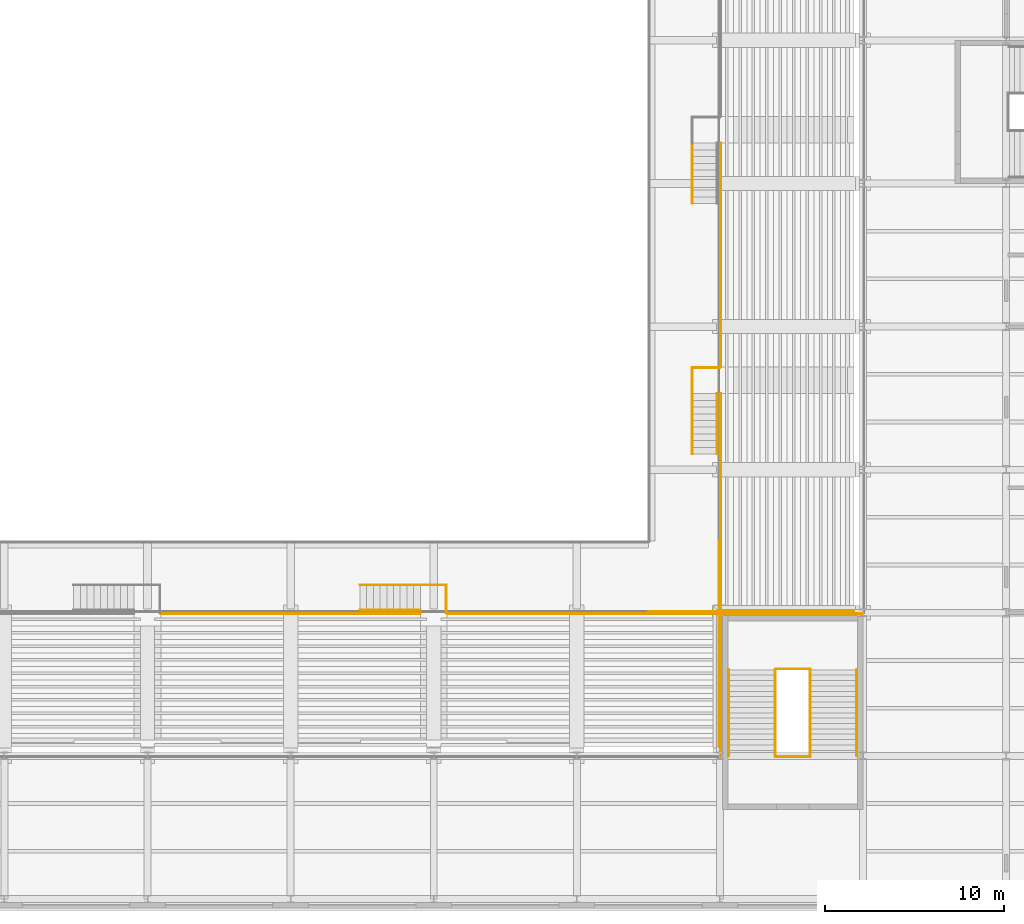
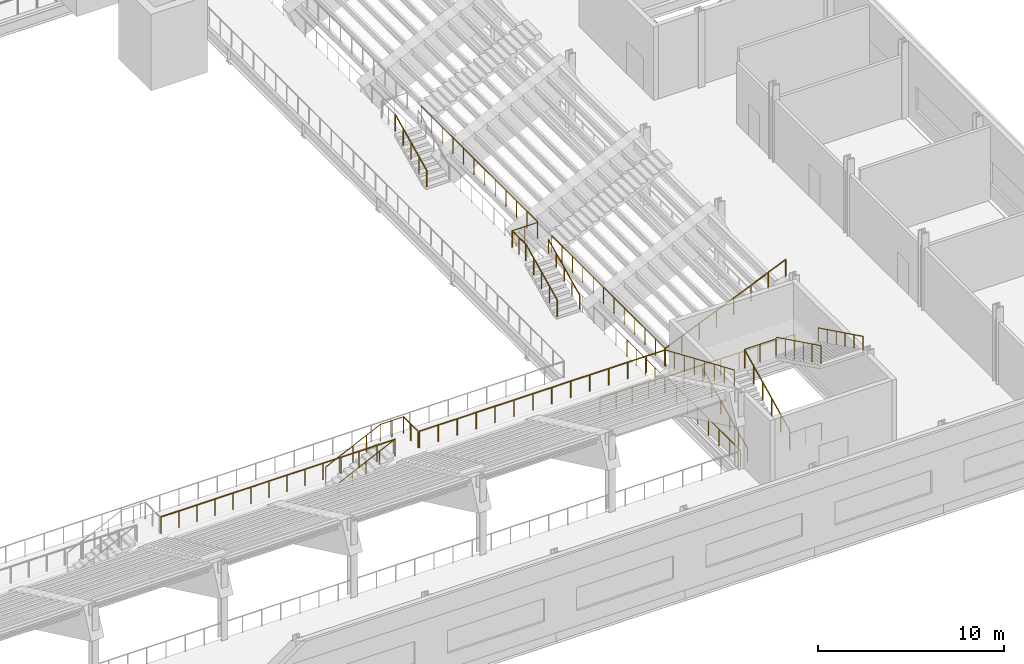
# One storey, part 23 of 27: 25 railings.
"""IFC4 building model written with IfcOpenShell, lengths in metres."""

from ifc_helpers import new_model, si_unit, direction, frame, origin, origin_2d, place, context, subcontext, project, spatial, circle, extrude, material, type_object, element, save


model = new_model("IFC4")

# Units and contexts
model_context = context("Model", 3, precision=1e-05, world=origin(), true_north=direction((0.0, 1.0)))
body_context = subcontext(model_context, "Body", "Model", "MODEL_VIEW")
ifc_project = project(units=[si_unit("LENGTHUNIT", "METRE"), si_unit("AREAUNIT", "SQUARE_METRE"), si_unit("VOLUMEUNIT", "CUBIC_METRE"), si_unit("PLANEANGLEUNIT", "RADIAN"), si_unit("MASSUNIT", "GRAM", prefix="KILO")], contexts=[model_context])

# Site, building, storey
site_placement = place(None, origin())
site = spatial("IfcSite", under=ifc_project, at=site_placement, CompositionType="ELEMENT")
building_placement = place(site_placement, origin())
building = spatial("IfcBuilding", under=site, at=building_placement, Name="Daluyong Arena Tower", CompositionType="ELEMENT")
storey_placement = place(building_placement, frame((0.0, 0.0, 14.89990234375)))
storey = spatial("IfcBuildingStorey", under=building, at=storey_placement, Name="L03", CompositionType="ELEMENT", Elevation=14.89990234375)

# Railings
ifc_material_1 = material(Name="Steel guard with glass infill", Category="steel")
railing_type_1 = type_object("IfcRailingType", Name="Bowl front guard 1100", PredefinedType="GUARDRAIL", material=ifc_material_1)
railing_1_placement = place(storey_placement, frame((88.050048828125, 16.0, 1.785888671875)))
element("IfcRailing", 1, at=railing_1_placement, inside=storey, type_object=railing_type_1, Name="bowl guard", PredefinedType="GUARDRAIL", context=body_context, shape_type="SweptSolid", body=[
    extrude(circle(Radius=0.02392578125, at=origin_2d()), frame((0.0, 0.0, 1.076171875), z_axis=(0.0, 1.0, 0.0), x_axis=(-1.0, 0.0, 0.0)), (0.0, 0.0, 1.0), 12.25),
    extrude(circle(Radius=0.02099609375, at=origin_2d()), origin(), (0.0, 0.0, 1.0), 1.052001953125),
    extrude(circle(Radius=0.02099609375, at=origin_2d()), frame((0.0, 1.113525390625, 0.0)), (0.0, 0.0, 1.0), 1.052001953125),
    extrude(circle(Radius=0.02099609375, at=origin_2d()), frame((0.0, 2.227294921875, 0.0)), (0.0, 0.0, 1.0), 1.052001953125),
    extrude(circle(Radius=0.02099609375, at=origin_2d()), frame((0.0, 3.3408203125, 0.0)), (0.0, 0.0, 1.0), 1.052001953125),
    extrude(circle(Radius=0.02099609375, at=origin_2d()), frame((0.0, 4.45458984375, 0.0)), (0.0, 0.0, 1.0), 1.052001953125),
    extrude(circle(Radius=0.02099609375, at=origin_2d()), frame((0.0, 5.568115234375, 0.0)), (0.0, 0.0, 1.0), 1.052001953125),
    extrude(circle(Radius=0.02099609375, at=origin_2d()), frame((0.0, 6.681884765625, 0.0)), (0.0, 0.0, 1.0), 1.052001953125),
    extrude(circle(Radius=0.02099609375, at=origin_2d()), frame((0.0, 7.79541015625, 0.0)), (0.0, 0.0, 1.0), 1.052001953125),
    extrude(circle(Radius=0.02099609375, at=origin_2d()), frame((0.0, 8.9091796875, 0.0)), (0.0, 0.0, 1.0), 1.052001953125),
    extrude(circle(Radius=0.02099609375, at=origin_2d()), frame((0.0, 10.022705078125, 0.0)), (0.0, 0.0, 1.0), 1.052001953125),
    extrude(circle(Radius=0.02099609375, at=origin_2d()), frame((0.0, 11.136474609375, 0.0)), (0.0, 0.0, 1.0), 1.052001953125),
    extrude(circle(Radius=0.02099609375, at=origin_2d()), frame((0.0, 12.25, 0.0)), (0.0, 0.0, 1.0), 1.052001953125),
])
railing_2_placement = place(storey_placement, frame((88.050048828125, 29.75, 1.785888671875)))
element("IfcRailing", 2, at=railing_2_placement, inside=storey, type_object=railing_type_1, Name="bowl guard", PredefinedType="GUARDRAIL", context=body_context, shape_type="SweptSolid", body=[
    extrude(circle(Radius=0.02392578125, at=origin_2d()), frame((0.0, 0.0, 1.076171875), z_axis=(0.0, 1.0, 0.0), x_axis=(-1.0, 0.0, 0.0)), (0.0, 0.0, 1.0), 12.5),
    extrude(circle(Radius=0.02099609375, at=origin_2d()), origin(), (0.0, 0.0, 1.0), 1.052001953125),
    extrude(circle(Radius=0.02099609375, at=origin_2d()), frame((0.0, 1.136474609375, 0.0)), (0.0, 0.0, 1.0), 1.052001953125),
    extrude(circle(Radius=0.02099609375, at=origin_2d()), frame((0.0, 2.272705078125, 0.0)), (0.0, 0.0, 1.0), 1.052001953125),
    extrude(circle(Radius=0.02099609375, at=origin_2d()), frame((0.0, 3.4091796875, 0.0)), (0.0, 0.0, 1.0), 1.052001953125),
    extrude(circle(Radius=0.02099609375, at=origin_2d()), frame((0.0, 4.54541015625, 0.0)), (0.0, 0.0, 1.0), 1.052001953125),
    extrude(circle(Radius=0.02099609375, at=origin_2d()), frame((0.0, 5.681884765625, 0.0)), (0.0, 0.0, 1.0), 1.052001953125),
    extrude(circle(Radius=0.02099609375, at=origin_2d()), frame((0.0, 6.818115234375, 0.0)), (0.0, 0.0, 1.0), 1.052001953125),
    extrude(circle(Radius=0.02099609375, at=origin_2d()), frame((0.0, 7.95458984375, 0.0)), (0.0, 0.0, 1.0), 1.052001953125),
    extrude(circle(Radius=0.02099609375, at=origin_2d()), frame((0.0, 9.0908203125, 0.0)), (0.0, 0.0, 1.0), 1.052001953125),
    extrude(circle(Radius=0.02099609375, at=origin_2d()), frame((0.0, 10.227294921875, 0.0)), (0.0, 0.0, 1.0), 1.052001953125),
    extrude(circle(Radius=0.02099609375, at=origin_2d()), frame((0.0, 11.363525390625, 0.0)), (0.0, 0.0, 1.0), 1.052001953125),
    extrude(circle(Radius=0.02099609375, at=origin_2d()), frame((0.0, 12.5, 0.0)), (0.0, 0.0, 1.0), 1.052001953125),
])
railing_3_placement = place(storey_placement, frame((56.75, 15.949951171875, 1.785888671875)))
element("IfcRailing", 3, at=railing_3_placement, inside=storey, type_object=railing_type_1, Name="bowl guard", PredefinedType="GUARDRAIL", context=body_context, shape_type="SweptSolid", body=[
    extrude(circle(Radius=0.02392578125, at=origin_2d()), frame((0.0, 0.0, 1.076171875), z_axis=(1.0, 0.0, 0.0), x_axis=(0.0, 1.0, 0.0)), (0.0, 0.0, 1.0), 14.5),
    extrude(circle(Radius=0.02099609375, at=origin_2d()), origin(), (0.0, 0.0, 1.0), 1.052001953125),
    extrude(circle(Radius=0.02099609375, at=origin_2d()), frame((1.115478515625, 0.0, 0.0)), (0.0, 0.0, 1.0), 1.052001953125),
    extrude(circle(Radius=0.02099609375, at=origin_2d()), frame((2.230712890625, 0.0, 0.0)), (0.0, 0.0, 1.0), 1.052001953125),
    extrude(circle(Radius=0.02099609375, at=origin_2d()), frame((3.34619140625, 0.0, 0.0)), (0.0, 0.0, 1.0), 1.052001953125),
    extrude(circle(Radius=0.02099609375, at=origin_2d()), frame((4.46142578125, 0.0, 0.0)), (0.0, 0.0, 1.0), 1.052001953125),
    extrude(circle(Radius=0.02099609375, at=origin_2d()), frame((5.576904296875, 0.0, 0.0)), (0.0, 0.0, 1.0), 1.052001953125),
    extrude(circle(Radius=0.02099609375, at=origin_2d()), frame((6.6923828125, 0.0, 0.0)), (0.0, 0.0, 1.0), 1.052001953125),
    extrude(circle(Radius=0.02099609375, at=origin_2d()), frame((7.8076171875, 0.0, 0.0)), (0.0, 0.0, 1.0), 1.052001953125),
    extrude(circle(Radius=0.02099609375, at=origin_2d()), frame((8.923095703125, 0.0, 0.0)), (0.0, 0.0, 1.0), 1.052001953125),
    extrude(circle(Radius=0.02099609375, at=origin_2d()), frame((10.03857421875, 0.0, 0.0)), (0.0, 0.0, 1.0), 1.052001953125),
    extrude(circle(Radius=0.02099609375, at=origin_2d()), frame((11.15380859375, 0.0, 0.0)), (0.0, 0.0, 1.0), 1.052001953125),
    extrude(circle(Radius=0.02099609375, at=origin_2d()), frame((12.269287109375, 0.0, 0.0)), (0.0, 0.0, 1.0), 1.052001953125),
    extrude(circle(Radius=0.02099609375, at=origin_2d()), frame((13.384521484375, 0.0, 0.0)), (0.0, 0.0, 1.0), 1.052001953125),
    extrude(circle(Radius=0.02099609375, at=origin_2d()), frame((14.5, 0.0, 0.0)), (0.0, 0.0, 1.0), 1.052001953125),
])
railing_4_placement = place(storey_placement, frame((72.75, 15.949951171875, 1.785888671875)))
element("IfcRailing", 4, at=railing_4_placement, inside=storey, type_object=railing_type_1, Name="bowl guard", PredefinedType="GUARDRAIL", context=body_context, shape_type="SweptSolid", body=[
    extrude(circle(Radius=0.02392578125, at=origin_2d()), frame((0.0, 0.0, 1.076171875), z_axis=(1.0, 0.0, 0.0), x_axis=(0.0, 1.0, 0.0)), (0.0, 0.0, 1.0), 15.25),
    extrude(circle(Radius=0.02099609375, at=origin_2d()), origin(), (0.0, 0.0, 1.0), 1.052001953125),
    extrude(circle(Radius=0.02099609375, at=origin_2d()), frame((1.173095703125, 0.0, 0.0)), (0.0, 0.0, 1.0), 1.052001953125),
    extrude(circle(Radius=0.02099609375, at=origin_2d()), frame((2.34619140625, 0.0, 0.0)), (0.0, 0.0, 1.0), 1.052001953125),
    extrude(circle(Radius=0.02099609375, at=origin_2d()), frame((3.519287109375, 0.0, 0.0)), (0.0, 0.0, 1.0), 1.052001953125),
    extrude(circle(Radius=0.02099609375, at=origin_2d()), frame((4.6923828125, 0.0, 0.0)), (0.0, 0.0, 1.0), 1.052001953125),
    extrude(circle(Radius=0.02099609375, at=origin_2d()), frame((5.865478515625, 0.0, 0.0)), (0.0, 0.0, 1.0), 1.052001953125),
    extrude(circle(Radius=0.02099609375, at=origin_2d()), frame((7.03857421875, 0.0, 0.0)), (0.0, 0.0, 1.0), 1.052001953125),
    extrude(circle(Radius=0.02099609375, at=origin_2d()), frame((8.21142578125, 0.0, 0.0)), (0.0, 0.0, 1.0), 1.052001953125),
    extrude(circle(Radius=0.02099609375, at=origin_2d()), frame((9.384521484375, 0.0, 0.0)), (0.0, 0.0, 1.0), 1.052001953125),
    extrude(circle(Radius=0.02099609375, at=origin_2d()), frame((10.5576171875, 0.0, 0.0)), (0.0, 0.0, 1.0), 1.052001953125),
    extrude(circle(Radius=0.02099609375, at=origin_2d()), frame((11.730712890625, 0.0, 0.0)), (0.0, 0.0, 1.0), 1.052001953125),
    extrude(circle(Radius=0.02099609375, at=origin_2d()), frame((12.90380859375, 0.0, 0.0)), (0.0, 0.0, 1.0), 1.052001953125),
    extrude(circle(Radius=0.02099609375, at=origin_2d()), frame((14.076904296875, 0.0, 0.0)), (0.0, 0.0, 1.0), 1.052001953125),
    extrude(circle(Radius=0.02099609375, at=origin_2d()), frame((15.25, 0.0, 0.0)), (0.0, 0.0, 1.0), 1.052001953125),
])
ifc_material_2 = material(Name="Steel guard with glass infill", Category="steel")
railing_type_2 = type_object("IfcRailingType", Name="Floor edge guard 1100", PredefinedType="GUARDRAIL", material=ifc_material_2)
railing_5_placement = place(storey_placement, frame((88.0, 16.050048828125, 1.785888671875)))
element("IfcRailing", 5, at=railing_5_placement, inside=storey, type_object=railing_type_2, Name="bowl guard", PredefinedType="GUARDRAIL", context=body_context, shape_type="SweptSolid", body=[
    extrude(circle(Radius=0.02392578125, at=origin_2d()), frame((0.0, 0.0, 1.076171875), z_axis=(0.919152767859, 0.0, 0.393901243127), x_axis=(0.0, 1.0, 0.0)), (0.0, 0.0, 1.0), 8.15966796875),
    extrude(circle(Radius=0.02099609375, at=origin_2d()), origin(), (0.0, 0.0, 1.0), 1.052001953125),
    extrude(circle(Radius=0.02099609375, at=origin_2d()), frame((1.071533203125, 0.0, 0.459228515625)), (0.0, 0.0, 1.0), 1.052001953125),
    extrude(circle(Radius=0.02099609375, at=origin_2d()), frame((2.142822265625, 0.0, 0.918212890625)), (0.0, 0.0, 1.0), 1.052001953125),
    extrude(circle(Radius=0.02099609375, at=origin_2d()), frame((3.21435546875, 0.0, 1.37744140625)), (0.0, 0.0, 1.0), 1.052001953125),
    extrude(circle(Radius=0.02099609375, at=origin_2d()), frame((4.28564453125, 0.0, 1.836669921875)), (0.0, 0.0, 1.0), 1.052001953125),
    extrude(circle(Radius=0.02099609375, at=origin_2d()), frame((5.357177734375, 0.0, 2.2958984375)), (0.0, 0.0, 1.0), 1.052001953125),
    extrude(circle(Radius=0.02099609375, at=origin_2d()), frame((6.428466796875, 0.0, 2.7548828125)), (0.0, 0.0, 1.0), 1.052001953125),
    extrude(circle(Radius=0.02099609375, at=origin_2d()), frame((7.5, 0.0, 3.214111328125)), (0.0, 0.0, 1.0), 1.052001953125),
])
railing_6_placement = place(storey_placement, frame((87.949951171875, 16.0, 1.785888671875)))
element("IfcRailing", 6, at=railing_6_placement, inside=storey, type_object=railing_type_2, Name="bowl guard", PredefinedType="GUARDRAIL", context=body_context, shape_type="SweptSolid", body=[
    extrude(circle(Radius=0.02392578125, at=origin_2d()), frame((0.0, 0.0, 1.076171875), z_axis=(0.0, -0.919152767859, 0.393901243127), x_axis=(1.0, 0.0, 0.0)), (0.0, 0.0, 1.0), 8.15966796875),
    extrude(circle(Radius=0.02099609375, at=origin_2d()), origin(), (0.0, 0.0, 1.0), 1.052001953125),
    extrude(circle(Radius=0.02099609375, at=origin_2d()), frame((0.0, -1.071533203125, 0.459228515625)), (0.0, 0.0, 1.0), 1.052001953125),
    extrude(circle(Radius=0.02099609375, at=origin_2d()), frame((0.0, -2.142822265625, 0.918212890625)), (0.0, 0.0, 1.0), 1.052001953125),
    extrude(circle(Radius=0.02099609375, at=origin_2d()), frame((0.0, -3.21435546875, 1.37744140625)), (0.0, 0.0, 1.0), 1.052001953125),
    extrude(circle(Radius=0.02099609375, at=origin_2d()), frame((0.0, -4.28564453125, 1.836669921875)), (0.0, 0.0, 1.0), 1.052001953125),
    extrude(circle(Radius=0.02099609375, at=origin_2d()), frame((0.0, -5.357177734375, 2.2958984375)), (0.0, 0.0, 1.0), 1.052001953125),
    extrude(circle(Radius=0.02099609375, at=origin_2d()), frame((0.0, -6.428466796875, 2.7548828125)), (0.0, 0.0, 1.0), 1.052001953125),
    extrude(circle(Radius=0.02099609375, at=origin_2d()), frame((0.0, -7.5, 3.214111328125)), (0.0, 0.0, 1.0), 1.052001953125),
])
railing_7_placement = place(storey_placement, frame((96.0, 15.949951171875, 0.0)))
element("IfcRailing", 7, at=railing_7_placement, inside=storey, type_object=railing_type_2, Name="floor edge guard L03", PredefinedType="GUARDRAIL", context=body_context, shape_type="SweptSolid", body=[
    extrude(circle(Radius=0.02392578125, at=origin_2d()), frame((0.0, 0.0, 1.076171875), z_axis=(-1.0, 0.0, 0.0), x_axis=(0.0, -1.0, 0.0)), (0.0, 0.0, 1.0), 8.0),
    extrude(circle(Radius=0.02099609375, at=origin_2d()), origin(), (0.0, 0.0, 1.0), 1.052001953125),
    extrude(circle(Radius=0.02099609375, at=origin_2d()), frame((-1.142822265625, 0.0, 0.0)), (0.0, 0.0, 1.0), 1.052001953125),
    extrude(circle(Radius=0.02099609375, at=origin_2d()), frame((-2.28564453125, 0.0, 0.0)), (0.0, 0.0, 1.0), 1.052001953125),
    extrude(circle(Radius=0.02099609375, at=origin_2d()), frame((-3.428466796875, 0.0, 0.0)), (0.0, 0.0, 1.0), 1.052001953125),
    extrude(circle(Radius=0.02099609375, at=origin_2d()), frame((-4.571533203125, 0.0, 0.0)), (0.0, 0.0, 1.0), 1.052001953125),
    extrude(circle(Radius=0.02099609375, at=origin_2d()), frame((-5.71435546875, 0.0, 0.0)), (0.0, 0.0, 1.0), 1.052001953125),
    extrude(circle(Radius=0.02099609375, at=origin_2d()), frame((-6.857177734375, 0.0, 0.0)), (0.0, 0.0, 1.0), 1.052001953125),
    extrude(circle(Radius=0.02099609375, at=origin_2d()), frame((-8.0, 0.0, 0.0)), (0.0, 0.0, 1.0), 1.052001953125),
])
railing_8_placement = place(storey_placement, frame((87.949951171875, 16.0, 0.0)))
element("IfcRailing", 8, at=railing_8_placement, inside=storey, type_object=railing_type_2, Name="floor edge guard L03", PredefinedType="GUARDRAIL", context=body_context, shape_type="SweptSolid", body=[
    extrude(circle(Radius=0.02392578125, at=origin_2d()), frame((0.0, 0.0, 1.076171875), z_axis=(0.0, 1.0, 0.0), x_axis=(-1.0, 0.0, 0.0)), (0.0, 0.0, 1.0), 4.0),
    extrude(circle(Radius=0.02099609375, at=origin_2d()), origin(), (0.0, 0.0, 1.0), 1.052001953125),
    extrude(circle(Radius=0.02099609375, at=origin_2d()), frame((0.0, 1.0, 0.0)), (0.0, 0.0, 1.0), 1.052001953125),
    extrude(circle(Radius=0.02099609375, at=origin_2d()), frame((0.0, 2.0, 0.0)), (0.0, 0.0, 1.0), 1.052001953125),
    extrude(circle(Radius=0.02099609375, at=origin_2d()), frame((0.0, 3.0, 0.0)), (0.0, 0.0, 1.0), 1.052001953125),
    extrude(circle(Radius=0.02099609375, at=origin_2d()), frame((0.0, 4.0, 0.0)), (0.0, 0.0, 1.0), 1.052001953125),
])
railing_9_placement = place(storey_placement, frame((84.0, 16.050048828125, 0.0)))
element("IfcRailing", 9, at=railing_9_placement, inside=storey, type_object=railing_type_2, Name="floor edge guard L03", PredefinedType="GUARDRAIL", context=body_context, shape_type="SweptSolid", body=[
    extrude(circle(Radius=0.02392578125, at=origin_2d()), frame((0.0, 0.0, 1.076171875), z_axis=(1.0, 0.0, 0.0), x_axis=(0.0, 1.0, 0.0)), (0.0, 0.0, 1.0), 4.0),
    extrude(circle(Radius=0.02099609375, at=origin_2d()), origin(), (0.0, 0.0, 1.0), 1.052001953125),
    extrude(circle(Radius=0.02099609375, at=origin_2d()), frame((1.0, 0.0, 0.0)), (0.0, 0.0, 1.0), 1.052001953125),
    extrude(circle(Radius=0.02099609375, at=origin_2d()), frame((2.0, 0.0, 0.0)), (0.0, 0.0, 1.0), 1.052001953125),
    extrude(circle(Radius=0.02099609375, at=origin_2d()), frame((3.0, 0.0, 0.0)), (0.0, 0.0, 1.0), 1.052001953125),
    extrude(circle(Radius=0.02099609375, at=origin_2d()), frame((4.0, 0.0, 0.0)), (0.0, 0.0, 1.0), 1.052001953125),
])
railing_10_placement = place(storey_placement, frame((88.050048828125, 16.0, 0.0)))
element("IfcRailing", 10, at=railing_10_placement, inside=storey, type_object=railing_type_2, Name="floor edge guard L03", PredefinedType="GUARDRAIL", context=body_context, shape_type="SweptSolid", body=[
    extrude(circle(Radius=0.02392578125, at=origin_2d()), frame((0.0, 0.0, 1.076171875), z_axis=(0.0, -1.0, 0.0), x_axis=(1.0, 0.0, 0.0)), (0.0, 0.0, 1.0), 8.0),
    extrude(circle(Radius=0.02099609375, at=origin_2d()), origin(), (0.0, 0.0, 1.0), 1.052001953125),
    extrude(circle(Radius=0.02099609375, at=origin_2d()), frame((0.0, -1.142822265625, 0.0)), (0.0, 0.0, 1.0), 1.052001953125),
    extrude(circle(Radius=0.02099609375, at=origin_2d()), frame((0.0, -2.28564453125, 0.0)), (0.0, 0.0, 1.0), 1.052001953125),
    extrude(circle(Radius=0.02099609375, at=origin_2d()), frame((0.0, -3.428466796875, 0.0)), (0.0, 0.0, 1.0), 1.052001953125),
    extrude(circle(Radius=0.02099609375, at=origin_2d()), frame((0.0, -4.571533203125, 0.0)), (0.0, 0.0, 1.0), 1.052001953125),
    extrude(circle(Radius=0.02099609375, at=origin_2d()), frame((0.0, -5.71435546875, 0.0)), (0.0, 0.0, 1.0), 1.052001953125),
    extrude(circle(Radius=0.02099609375, at=origin_2d()), frame((0.0, -6.857177734375, 0.0)), (0.0, 0.0, 1.0), 1.052001953125),
    extrude(circle(Radius=0.02099609375, at=origin_2d()), frame((0.0, -8.0, 0.0)), (0.0, 0.0, 1.0), 1.052001953125),
])
ifc_material_3 = material(Name="Stainless steel handrail", Category="steel")
railing_type_3 = type_object("IfcRailingType", Name="Stair handrail", PredefinedType="HANDRAIL", material=ifc_material_3)
railing_11_placement = place(storey_placement, frame((88.5, 8.010009765625, 0.147216796875)))
element("IfcRailing", 11, at=railing_11_placement, inside=storey, type_object=railing_type_3, Name="exit stair PS2 handrail L03", PredefinedType="HANDRAIL", context=body_context, shape_type="SweptSolid", body=[
    extrude(circle(Radius=0.02392578125, at=origin_2d()), frame((0.0, 0.0, 0.8759765625), z_axis=(0.0, 0.89793417156, 0.440129780343), x_axis=(-1.0, 0.0, 0.0)), (0.0, 0.0, 1.0), 5.345703125),
    extrude(circle(Radius=0.02099609375, at=origin_2d()), origin(), (0.0, 0.0, 1.0), 0.851806640625),
    extrude(circle(Radius=0.02099609375, at=origin_2d()), frame((0.0, 0.9599609375, 0.470458984375)), (0.0, 0.0, 1.0), 0.851806640625),
    extrude(circle(Radius=0.02099609375, at=origin_2d()), frame((0.0, 1.919921875, 0.941162109375)), (0.0, 0.0, 1.0), 0.851806640625),
    extrude(circle(Radius=0.02099609375, at=origin_2d()), frame((0.0, 2.880126953125, 1.41162109375)), (0.0, 0.0, 1.0), 0.851806640625),
    extrude(circle(Radius=0.02099609375, at=origin_2d()), frame((0.0, 3.840087890625, 1.88232421875)), (0.0, 0.0, 1.0), 0.851806640625),
    extrude(circle(Radius=0.02099609375, at=origin_2d()), frame((0.0, 4.800048828125, 2.352783203125)), (0.0, 0.0, 1.0), 0.851806640625),
])
railing_12_placement = place(storey_placement, frame((95.64990234375, 12.81005859375, 2.647216796875)))
element("IfcRailing", 12, at=railing_12_placement, inside=storey, type_object=railing_type_3, Name="exit stair PS2 handrail L03", PredefinedType="HANDRAIL", context=body_context, shape_type="SweptSolid", body=[
    extrude(circle(Radius=0.02392578125, at=origin_2d()), frame((0.0, 0.0, 0.8759765625), z_axis=(0.0, -0.89793417156, 0.440129780343), x_axis=(1.0, 0.0, 0.0)), (0.0, 0.0, 1.0), 5.345703125),
    extrude(circle(Radius=0.02099609375, at=origin_2d()), origin(), (0.0, 0.0, 1.0), 0.851806640625),
    extrude(circle(Radius=0.02099609375, at=origin_2d()), frame((0.0, -0.9599609375, 0.470458984375)), (0.0, 0.0, 1.0), 0.851806640625),
    extrude(circle(Radius=0.02099609375, at=origin_2d()), frame((0.0, -1.919921875, 0.941162109375)), (0.0, 0.0, 1.0), 0.851806640625),
    extrude(circle(Radius=0.02099609375, at=origin_2d()), frame((0.0, -2.880126953125, 1.41162109375)), (0.0, 0.0, 1.0), 0.851806640625),
    extrude(circle(Radius=0.02099609375, at=origin_2d()), frame((0.0, -3.840087890625, 1.88232421875)), (0.0, 0.0, 1.0), 0.851806640625),
    extrude(circle(Radius=0.02099609375, at=origin_2d()), frame((0.0, -4.800048828125, 2.352783203125)), (0.0, 0.0, 1.0), 0.851806640625),
])
railing_13_placement = place(storey_placement, frame((87.85009765625, 24.875, 0.1787109375)))
element("IfcRailing", 13, at=railing_13_placement, inside=storey, type_object=railing_type_3, Name="upper bowl aisle stair handrail", PredefinedType="HANDRAIL", context=body_context, shape_type="SweptSolid", body=[
    extrude(circle(Radius=0.02392578125, at=origin_2d()), frame((0.0, 0.0, 0.8759765625), z_axis=(0.0, 0.902856897119, 0.42994118589), x_axis=(-1.0, 0.0, 0.0)), (0.0, 0.0, 1.0), 3.738037109375),
    extrude(circle(Radius=0.02099609375, at=origin_2d()), origin(), (0.0, 0.0, 1.0), 0.851806640625),
    extrude(circle(Radius=0.02099609375, at=origin_2d()), frame((0.0, 0.84375, 0.40185546875)), (0.0, 0.0, 1.0), 0.851806640625),
    extrude(circle(Radius=0.02099609375, at=origin_2d()), frame((0.0, 1.6875, 0.8037109375)), (0.0, 0.0, 1.0), 0.851806640625),
    extrude(circle(Radius=0.02099609375, at=origin_2d()), frame((0.0, 2.53125, 1.205322265625)), (0.0, 0.0, 1.0), 0.851806640625),
    extrude(circle(Radius=0.02099609375, at=origin_2d()), frame((0.0, 3.375, 1.607177734375)), (0.0, 0.0, 1.0), 0.851806640625),
])
railing_14_placement = place(storey_placement, frame((67.875, 16.14990234375, 0.1787109375)))
element("IfcRailing", 14, at=railing_14_placement, inside=storey, type_object=railing_type_3, Name="upper bowl aisle stair handrail", PredefinedType="HANDRAIL", context=body_context, shape_type="SweptSolid", body=[
    extrude(circle(Radius=0.02392578125, at=origin_2d()), frame((0.0, 0.0, 0.8759765625), z_axis=(0.902856897119, 0.0, 0.42994118589), x_axis=(0.0, 1.0, 0.0)), (0.0, 0.0, 1.0), 3.738037109375),
    extrude(circle(Radius=0.02099609375, at=origin_2d()), origin(), (0.0, 0.0, 1.0), 0.851806640625),
    extrude(circle(Radius=0.02099609375, at=origin_2d()), frame((0.84375, 0.0, 0.40185546875)), (0.0, 0.0, 1.0), 0.851806640625),
    extrude(circle(Radius=0.02099609375, at=origin_2d()), frame((1.6875, 0.0, 0.8037109375)), (0.0, 0.0, 1.0), 0.851806640625),
    extrude(circle(Radius=0.02099609375, at=origin_2d()), frame((2.53125, 0.0, 1.205322265625)), (0.0, 0.0, 1.0), 0.851806640625),
    extrude(circle(Radius=0.02099609375, at=origin_2d()), frame((3.375, 0.0, 1.607177734375)), (0.0, 0.0, 1.0), 0.851806640625),
])
ifc_material_4 = material(Name="Steel balustrade", Category="steel")
railing_type_4 = type_object("IfcRailingType", Name="Stair well guard 1100", PredefinedType="GUARDRAIL", material=ifc_material_4)
railing_15_placement = place(storey_placement, frame((86.449951171875, 24.875, 0.1787109375)))
element("IfcRailing", 15, at=railing_15_placement, inside=storey, type_object=railing_type_4, Name="upper bowl aisle stair guard", PredefinedType="GUARDRAIL", context=body_context, shape_type="SweptSolid", body=[
    extrude(circle(Radius=0.02392578125, at=origin_2d()), frame((0.0, 0.0, 1.076171875), z_axis=(0.0, 0.902856897119, 0.42994118589), x_axis=(-1.0, 0.0, 0.0)), (0.0, 0.0, 1.0), 3.738037109375),
    extrude(circle(Radius=0.02099609375, at=origin_2d()), origin(), (0.0, 0.0, 1.0), 1.052001953125),
    extrude(circle(Radius=0.02099609375, at=origin_2d()), frame((0.0, 0.84375, 0.40185546875)), (0.0, 0.0, 1.0), 1.052001953125),
    extrude(circle(Radius=0.02099609375, at=origin_2d()), frame((0.0, 1.6875, 0.8037109375)), (0.0, 0.0, 1.0), 1.052001953125),
    extrude(circle(Radius=0.02099609375, at=origin_2d()), frame((0.0, 2.53125, 1.205322265625)), (0.0, 0.0, 1.0), 1.052001953125),
    extrude(circle(Radius=0.02099609375, at=origin_2d()), frame((0.0, 3.375, 1.607177734375)), (0.0, 0.0, 1.0), 1.052001953125),
])
railing_16_placement = place(storey_placement, frame((86.449951171875, 28.25, 1.785888671875)))
element("IfcRailing", 16, at=railing_16_placement, inside=storey, type_object=railing_type_4, Name="upper bowl aisle stair guard", PredefinedType="GUARDRAIL", context=body_context, shape_type="SweptSolid", body=[
    extrude(circle(Radius=0.02392578125, at=origin_2d()), frame((0.0, 0.0, 1.076171875), z_axis=(0.0, 1.0, 0.0), x_axis=(-1.0, 0.0, 0.0)), (0.0, 0.0, 1.0), 1.449951171875),
    extrude(circle(Radius=0.02099609375, at=origin_2d()), origin(), (0.0, 0.0, 1.0), 1.052001953125),
    extrude(circle(Radius=0.02099609375, at=origin_2d()), frame((0.0, 0.72509765625, 0.0)), (0.0, 0.0, 1.0), 1.052001953125),
    extrude(circle(Radius=0.02099609375, at=origin_2d()), frame((0.0, 1.449951171875, 0.0)), (0.0, 0.0, 1.0), 1.052001953125),
])
railing_17_placement = place(storey_placement, frame((86.449951171875, 29.699951171875, 1.785888671875)))
element("IfcRailing", 17, at=railing_17_placement, inside=storey, type_object=railing_type_4, Name="upper bowl aisle stair guard", PredefinedType="GUARDRAIL", context=body_context, shape_type="SweptSolid", body=[
    extrude(circle(Radius=0.02392578125, at=origin_2d()), frame((0.0, 0.0, 1.076171875), z_axis=(1.0, 0.0, 0.0), x_axis=(0.0, 1.0, 0.0)), (0.0, 0.0, 1.0), 1.550048828125),
    extrude(circle(Radius=0.02099609375, at=origin_2d()), origin(), (0.0, 0.0, 1.0), 1.052001953125),
    extrude(circle(Radius=0.02099609375, at=origin_2d()), frame((0.77490234375, 0.0, 0.0)), (0.0, 0.0, 1.0), 1.052001953125),
    extrude(circle(Radius=0.02099609375, at=origin_2d()), frame((1.550048828125, 0.0, 0.0)), (0.0, 0.0, 1.0), 1.052001953125),
])
railing_18_placement = place(storey_placement, frame((86.449951171875, 38.875, 0.1787109375)))
element("IfcRailing", 18, at=railing_18_placement, inside=storey, type_object=railing_type_4, Name="upper bowl aisle stair guard", PredefinedType="GUARDRAIL", context=body_context, shape_type="SweptSolid", body=[
    extrude(circle(Radius=0.02392578125, at=origin_2d()), frame((0.0, 0.0, 1.076171875), z_axis=(0.0, 0.902856897119, 0.42994118589), x_axis=(-1.0, 0.0, 0.0)), (0.0, 0.0, 1.0), 3.738037109375),
    extrude(circle(Radius=0.02099609375, at=origin_2d()), origin(), (0.0, 0.0, 1.0), 1.052001953125),
    extrude(circle(Radius=0.02099609375, at=origin_2d()), frame((0.0, 0.84375, 0.40185546875)), (0.0, 0.0, 1.0), 1.052001953125),
    extrude(circle(Radius=0.02099609375, at=origin_2d()), frame((0.0, 1.6875, 0.8037109375)), (0.0, 0.0, 1.0), 1.052001953125),
    extrude(circle(Radius=0.02099609375, at=origin_2d()), frame((0.0, 2.53125, 1.205322265625)), (0.0, 0.0, 1.0), 1.052001953125),
    extrude(circle(Radius=0.02099609375, at=origin_2d()), frame((0.0, 3.375, 1.607177734375)), (0.0, 0.0, 1.0), 1.052001953125),
])
railing_19_placement = place(storey_placement, frame((67.875, 17.550048828125, 0.1787109375)))
element("IfcRailing", 19, at=railing_19_placement, inside=storey, type_object=railing_type_4, Name="upper bowl aisle stair guard", PredefinedType="GUARDRAIL", context=body_context, shape_type="SweptSolid", body=[
    extrude(circle(Radius=0.02392578125, at=origin_2d()), frame((0.0, 0.0, 1.076171875), z_axis=(0.902856897119, 0.0, 0.42994118589), x_axis=(0.0, 1.0, 0.0)), (0.0, 0.0, 1.0), 3.738037109375),
    extrude(circle(Radius=0.02099609375, at=origin_2d()), origin(), (0.0, 0.0, 1.0), 1.052001953125),
    extrude(circle(Radius=0.02099609375, at=origin_2d()), frame((0.84375, 0.0, 0.40185546875)), (0.0, 0.0, 1.0), 1.052001953125),
    extrude(circle(Radius=0.02099609375, at=origin_2d()), frame((1.6875, 0.0, 0.8037109375)), (0.0, 0.0, 1.0), 1.052001953125),
    extrude(circle(Radius=0.02099609375, at=origin_2d()), frame((2.53125, 0.0, 1.205322265625)), (0.0, 0.0, 1.0), 1.052001953125),
    extrude(circle(Radius=0.02099609375, at=origin_2d()), frame((3.375, 0.0, 1.607177734375)), (0.0, 0.0, 1.0), 1.052001953125),
])
railing_20_placement = place(storey_placement, frame((71.25, 17.550048828125, 1.785888671875)))
element("IfcRailing", 20, at=railing_20_placement, inside=storey, type_object=railing_type_4, Name="upper bowl aisle stair guard", PredefinedType="GUARDRAIL", context=body_context, shape_type="SweptSolid", body=[
    extrude(circle(Radius=0.02392578125, at=origin_2d()), frame((0.0, 0.0, 1.076171875), z_axis=(1.0, 0.0, 0.0), x_axis=(0.0, 1.0, 0.0)), (0.0, 0.0, 1.0), 1.449951171875),
    extrude(circle(Radius=0.02099609375, at=origin_2d()), origin(), (0.0, 0.0, 1.0), 1.052001953125),
    extrude(circle(Radius=0.02099609375, at=origin_2d()), frame((0.72509765625, 0.0, 0.0)), (0.0, 0.0, 1.0), 1.052001953125),
    extrude(circle(Radius=0.02099609375, at=origin_2d()), frame((1.449951171875, 0.0, 0.0)), (0.0, 0.0, 1.0), 1.052001953125),
])
railing_21_placement = place(storey_placement, frame((72.699951171875, 17.550048828125, 1.785888671875)))
element("IfcRailing", 21, at=railing_21_placement, inside=storey, type_object=railing_type_4, Name="upper bowl aisle stair guard", PredefinedType="GUARDRAIL", context=body_context, shape_type="SweptSolid", body=[
    extrude(circle(Radius=0.02392578125, at=origin_2d()), frame((0.0, 0.0, 1.076171875), z_axis=(0.0, -1.0, 0.0), x_axis=(1.0, 0.0, 0.0)), (0.0, 0.0, 1.0), 1.550048828125),
    extrude(circle(Radius=0.02099609375, at=origin_2d()), origin(), (0.0, 0.0, 1.0), 1.052001953125),
    extrude(circle(Radius=0.02099609375, at=origin_2d()), frame((0.0, -0.77490234375, 0.0)), (0.0, 0.0, 1.0), 1.052001953125),
    extrude(circle(Radius=0.02099609375, at=origin_2d()), frame((0.0, -1.550048828125, 0.0)), (0.0, 0.0, 1.0), 1.052001953125),
])
ifc_material_5 = material(Name="Steel balustrade", Category="steel")
railing_type_5 = type_object("IfcRailingType", Name="Stair well guard 1200", PredefinedType="GUARDRAIL", material=ifc_material_5)
railing_22_placement = place(storey_placement, frame((91.10009765625, 8.010009765625, 0.147216796875)))
element("IfcRailing", 22, at=railing_22_placement, inside=storey, type_object=railing_type_5, Name="exit stair PS2 well guard L03", PredefinedType="GUARDRAIL", context=body_context, shape_type="SweptSolid", body=[
    extrude(circle(Radius=0.02392578125, at=origin_2d()), frame((0.0, 0.0, 1.17578125), z_axis=(0.0, 0.89793417156, 0.440129780343), x_axis=(-1.0, 0.0, 0.0)), (0.0, 0.0, 1.0), 5.345703125),
    extrude(circle(Radius=0.02099609375, at=origin_2d()), origin(), (0.0, 0.0, 1.0), 1.15185546875),
    extrude(circle(Radius=0.02099609375, at=origin_2d()), frame((0.0, 0.9599609375, 0.470458984375)), (0.0, 0.0, 1.0), 1.15185546875),
    extrude(circle(Radius=0.02099609375, at=origin_2d()), frame((0.0, 1.919921875, 0.941162109375)), (0.0, 0.0, 1.0), 1.15185546875),
    extrude(circle(Radius=0.02099609375, at=origin_2d()), frame((0.0, 2.880126953125, 1.41162109375)), (0.0, 0.0, 1.0), 1.15185546875),
    extrude(circle(Radius=0.02099609375, at=origin_2d()), frame((0.0, 3.840087890625, 1.88232421875)), (0.0, 0.0, 1.0), 1.15185546875),
    extrude(circle(Radius=0.02099609375, at=origin_2d()), frame((0.0, 4.800048828125, 2.352783203125)), (0.0, 0.0, 1.0), 1.15185546875),
])
railing_23_placement = place(storey_placement, frame((93.050048828125, 12.81005859375, 2.647216796875)))
element("IfcRailing", 23, at=railing_23_placement, inside=storey, type_object=railing_type_5, Name="exit stair PS2 well guard L03", PredefinedType="GUARDRAIL", context=body_context, shape_type="SweptSolid", body=[
    extrude(circle(Radius=0.02392578125, at=origin_2d()), frame((0.0, 0.0, 1.17578125), z_axis=(0.0, -0.89793417156, 0.440129780343), x_axis=(1.0, 0.0, 0.0)), (0.0, 0.0, 1.0), 5.345703125),
    extrude(circle(Radius=0.02099609375, at=origin_2d()), origin(), (0.0, 0.0, 1.0), 1.15185546875),
    extrude(circle(Radius=0.02099609375, at=origin_2d()), frame((0.0, -0.9599609375, 0.470458984375)), (0.0, 0.0, 1.0), 1.15185546875),
    extrude(circle(Radius=0.02099609375, at=origin_2d()), frame((0.0, -1.919921875, 0.941162109375)), (0.0, 0.0, 1.0), 1.15185546875),
    extrude(circle(Radius=0.02099609375, at=origin_2d()), frame((0.0, -2.880126953125, 1.41162109375)), (0.0, 0.0, 1.0), 1.15185546875),
    extrude(circle(Radius=0.02099609375, at=origin_2d()), frame((0.0, -3.840087890625, 1.88232421875)), (0.0, 0.0, 1.0), 1.15185546875),
    extrude(circle(Radius=0.02099609375, at=origin_2d()), frame((0.0, -4.800048828125, 2.352783203125)), (0.0, 0.0, 1.0), 1.15185546875),
])
for number, where, name in (
    (24, (91.10009765625, 12.860107421875, 2.5), "exit stair PS2 landing guard L03"),
    (25, (91.10009765625, 7.9599609375, 0.0), "exit stair PS2 floor landing guard L03"),
):
    element("IfcRailing", number, at=place(storey_placement, frame(where)), inside=storey, type_object=railing_type_5, Name=name, PredefinedType="GUARDRAIL", context=body_context, shape_type="SweptSolid", body=[
        extrude(circle(Radius=0.02392578125, at=origin_2d()), frame((0.0, 0.0, 1.17578125), z_axis=(1.0, 0.0, 0.0), x_axis=(0.0, 1.0, 0.0)), (0.0, 0.0, 1.0), 1.949951171875),
        extrude(circle(Radius=0.02099609375, at=origin_2d()), origin(), (0.0, 0.0, 1.0), 1.15185546875),
        extrude(circle(Radius=0.02099609375, at=origin_2d()), frame((0.97509765625, 0.0, 0.0)), (0.0, 0.0, 1.0), 1.15185546875),
        extrude(circle(Radius=0.02099609375, at=origin_2d()), frame((1.949951171875, 0.0, 0.0)), (0.0, 0.0, 1.0), 1.15185546875),
    ])

save(model, "model.ifc")
